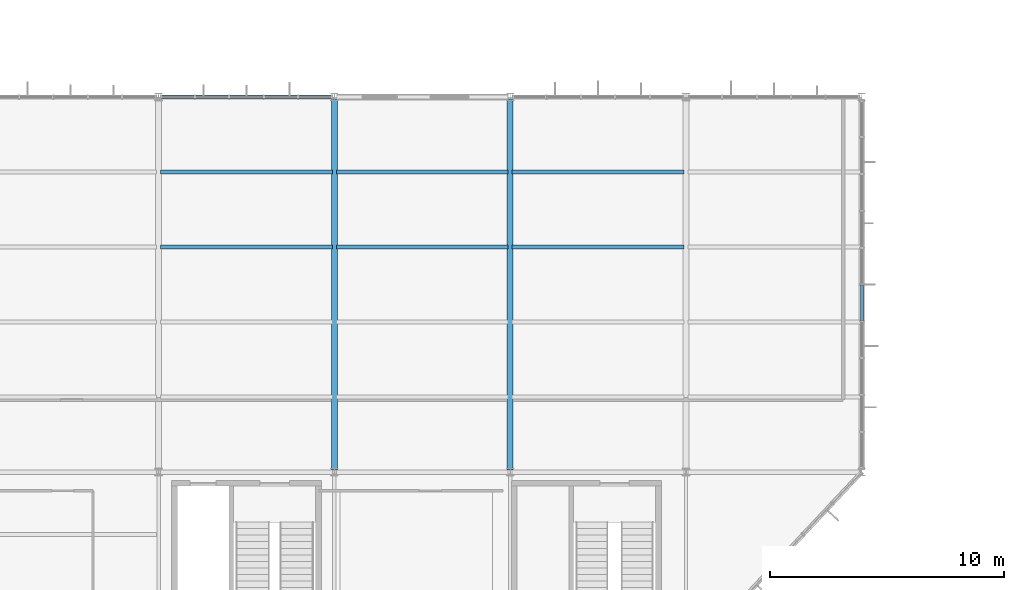
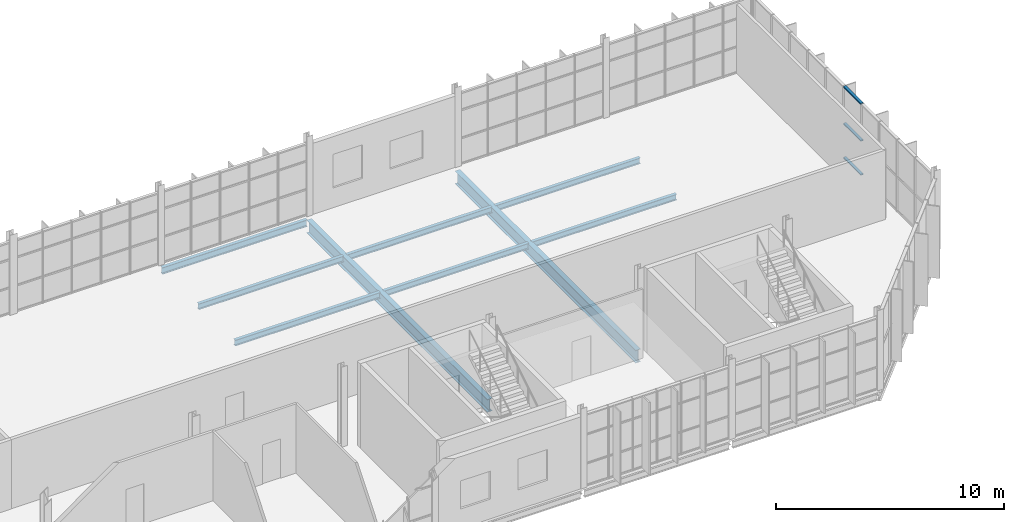
# One storey, part 61 of 324: 9 beams, 3 members, 1 element without a shape of its own.
"""IFC4 building model written with IfcOpenShell, lengths in metres."""

from ifc_helpers import new_model, si_unit, direction, frame, origin, origin_2d, place, context, subcontext, project, spatial, hollow_rectangle, i_section, extrude, material, layer, layer_set, material_profile, profile_set, type_object, element, aggregate, save


model = new_model("IFC4")

# Units and contexts
model_context = context("Model", 3, precision=1e-05, world=origin(), true_north=direction((0.0, 1.0)))
body_context = subcontext(model_context, "Body", "Model", "MODEL_VIEW")
ifc_project = project(units=[si_unit("LENGTHUNIT", "METRE"), si_unit("AREAUNIT", "SQUARE_METRE"), si_unit("VOLUMEUNIT", "CUBIC_METRE"), si_unit("PLANEANGLEUNIT", "RADIAN"), si_unit("MASSUNIT", "GRAM", prefix="KILO")], contexts=[model_context])

# Site, building, storey
site_placement = place(None, origin())
site = spatial("IfcSite", under=ifc_project, at=site_placement, CompositionType="ELEMENT")
building_placement = place(site_placement, origin())
building = spatial("IfcBuilding", under=site, at=building_placement, Name="Solvenia Promenade Tram Depot", CompositionType="ELEMENT")
storey_placement = place(building_placement, frame((0.0, 0.0, 4.5)))
storey = spatial("IfcBuildingStorey", under=building, at=storey_placement, Name="L01", CompositionType="ELEMENT", Elevation=4.5)

# Curtain wall, members
ifc_material_1 = material(Name="Anodized aluminium AW-6063 T6", Category="aluminium")
ifc_layer = layer(ifc_material_1, 0.14990234375, Name="Anodized aluminium AW-6063 T6", Category="aluminium")
ifc_layer_set = layer_set([ifc_layer], Name="Anodized aluminium AW-6063 T6")
curtain_wall_type = type_object("IfcCurtainWallType", Name="CW-Court-1500", PredefinedType="NOTDEFINED", material=ifc_layer_set)
curtain_wall_placement = place(storey_placement, origin())
curtain_wall = element("IfcCurtainWall", 1, at=curtain_wall_placement, inside=storey, type_object=curtain_wall_type, Name="Curtain Wall CW-V4E-L01", PredefinedType="NOTDEFINED")
ifc_material_profile_1 = material_profile(ifc_material_1, hollow_rectangle(XDim=0.139892578125, YDim=0.06494140625, WallThickness=0.00390625, at=origin_2d()), Name="ALU-T2", Category="aluminium")
ifc_profile_set_1 = profile_set([ifc_material_profile_1], Name="Anodized aluminium AW-6063 T6")
member_type = type_object("IfcMemberType", Name="CWT-Transom-2", PredefinedType="USERDEFINED", material=ifc_profile_set_1)
member_1_placement = place(storey_placement, frame((90.0, 14.455078125, 0.032470703125), z_axis=(0.0, 1.0, 0.0), x_axis=(-1.0, 0.0, 0.0)))
member_1 = element("IfcMember", 2, at=member_1_placement, type_object=member_type, Name="CW-5 transom 5.1", ObjectType="TRANSOM", PredefinedType="USERDEFINED", context=body_context, shape_type="SweptSolid", body=[
    extrude(hollow_rectangle(XDim=0.139892578125, YDim=0.06494140625, WallThickness=0.00390625, at=origin_2d()), origin(), (0.0, 0.0, 1.0), 1.52001953125),
])
member_2_placement = place(storey_placement, frame((90.0, 14.455078125, 1.85009765625), z_axis=(0.0, 1.0, 0.0), x_axis=(-1.0, 0.0, 0.0)))
member_2 = element("IfcMember", 3, at=member_2_placement, type_object=member_type, Name="CW-5 transom 5.2", ObjectType="TRANSOM", PredefinedType="USERDEFINED", context=body_context, shape_type="SweptSolid", body=[
    extrude(hollow_rectangle(XDim=0.139892578125, YDim=0.06494140625, WallThickness=0.00390625, at=origin_2d()), origin(), (0.0, 0.0, 1.0), 1.52001953125),
])
member_3_placement = place(storey_placement, frame((90.0, 14.455078125, 3.8173828125), z_axis=(0.0, 1.0, 0.0), x_axis=(-1.0, 0.0, 0.0)))
member_3 = element("IfcMember", 4, at=member_3_placement, type_object=member_type, Name="CW-5 transom 5.3", ObjectType="TRANSOM", PredefinedType="USERDEFINED", context=body_context, shape_type="SweptSolid", body=[
    extrude(hollow_rectangle(XDim=0.139892578125, YDim=0.06494140625, WallThickness=0.00390625, at=origin_2d()), origin(), (0.0, 0.0, 1.0), 1.52001953125),
])
aggregate(curtain_wall, [member_1, member_2, member_3])

# Beams
ifc_material_2 = material(Name="Structural steel ASTM A992 Gr. 50", Category="steel")
ifc_material_profile_2 = material_profile(ifc_material_2, i_section(OverallWidth=0.25390625, OverallDepth=0.68408203125, WebThickness=0.012451171875, FlangeThickness=0.018798828125, FilletRadius=0.01611328125, at=origin_2d()), Name="W690x140", Category="steel")
ifc_profile_set_2 = profile_set([ifc_material_profile_2], Name="Structural steel ASTM A992 Gr. 50")
beam_type_1 = type_object("IfcBeamType", Name="Gird-W690x140", PredefinedType="BEAM", material=ifc_profile_set_2)
for number, where, z_axis, x_axis, name in (
    (5, (67.5, 8.0849609375, -0.56201171875), (0.0, 1.0, 0.0), (-1.0, 0.0, 0.0), "Transverse Girder BM-L01-0348"),
    (6, (75.0, 8.0849609375, -0.56201171875), (0.0, 1.0, 0.0), (-1.0, 0.0, 0.0), "Transverse Girder BM-L01-0350"),
):
    element("IfcBeam", number, at=place(storey_placement, frame(where, z_axis=z_axis, x_axis=x_axis)), inside=storey, type_object=beam_type_1, Name=name, PredefinedType="BEAM", context=body_context, shape_type="SweptSolid", body=[
        extrude(i_section(OverallWidth=0.25390625, OverallDepth=0.68408203125, WebThickness=0.012451171875, FlangeThickness=0.018798828125, FilletRadius=0.01611328125, at=origin_2d()), origin(), (0.0, 0.0, 1.0), 15.830078125),
    ])
ifc_material_profile_3 = material_profile(ifc_material_2, i_section(OverallWidth=0.166015625, OverallDepth=0.31298828125, WebThickness=0.006591796875, FlangeThickness=0.01123046875, FilletRadius=0.010009765625, at=origin_2d()), Name="W310x45", Category="steel")
ifc_profile_set_3 = profile_set([ifc_material_profile_3], Name="Structural steel ASTM A992 Gr. 50")
beam_type_2 = type_object("IfcBeamType", Name="Joist-W310x45", PredefinedType="JOIST", material=ifc_profile_set_3)
for number, where, z_axis, x_axis, name in (
    (7, (60.0849609375, 17.60009765625, -0.37646484375), (1.0, 0.0, 0.0), (0.0, 1.0, 0.0), "Secondary Floor Joist BM-L01-0400"),
    (8, (60.0849609375, 20.800048828125, -0.37646484375), (1.0, 0.0, 0.0), (0.0, 1.0, 0.0), "Secondary Floor Joist BM-L01-0401"),
    (9, (67.5849609375, 17.60009765625, -0.37646484375), (1.0, 0.0, 0.0), (0.0, 1.0, 0.0), "Secondary Floor Joist BM-L01-0404"),
    (10, (67.5849609375, 20.800048828125, -0.37646484375), (1.0, 0.0, 0.0), (0.0, 1.0, 0.0), "Secondary Floor Joist BM-L01-0405"),
    (11, (75.0849609375, 17.60009765625, -0.37646484375), (1.0, 0.0, 0.0), (0.0, 1.0, 0.0), "Secondary Floor Joist BM-L01-0408"),
    (12, (75.0849609375, 20.800048828125, -0.37646484375), (1.0, 0.0, 0.0), (0.0, 1.0, 0.0), "Secondary Floor Joist BM-L01-0409"),
):
    element("IfcBeam", number, at=place(storey_placement, frame(where, z_axis=z_axis, x_axis=x_axis)), inside=storey, type_object=beam_type_2, Name=name, PredefinedType="JOIST", context=body_context, shape_type="SweptSolid", body=[
        extrude(i_section(OverallWidth=0.166015625, OverallDepth=0.31298828125, WebThickness=0.006591796875, FlangeThickness=0.01123046875, FilletRadius=0.010009765625, at=origin_2d()), origin(), (0.0, 0.0, 1.0), 7.330078125),
    ])
ifc_material_profile_4 = material_profile(ifc_material_2, i_section(OverallWidth=0.172119140625, OverallDepth=0.35791015625, WebThickness=0.0078125, FlangeThickness=0.01318359375, FilletRadius=0.010986328125, at=origin_2d()), Name="W360x57", Category="steel")
ifc_profile_set_4 = profile_set([ifc_material_profile_4], Name="Structural steel ASTM A992 Gr. 50")
beam_type_3 = type_object("IfcBeamType", Name="Spandrel-W360x57", PredefinedType="SPANDREL", material=ifc_profile_set_4)
beam_placement = place(storey_placement, frame((60.0849609375, 24.0, -0.39892578125), z_axis=(1.0, 0.0, 0.0), x_axis=(0.0, 1.0, 0.0)))
element("IfcBeam", 13, at=beam_placement, inside=storey, type_object=beam_type_3, Name="Perimeter Spandrel BM-L01-0326", PredefinedType="SPANDREL", context=body_context, shape_type="SweptSolid", body=[
    extrude(i_section(OverallWidth=0.172119140625, OverallDepth=0.35791015625, WebThickness=0.0078125, FlangeThickness=0.01318359375, FilletRadius=0.010986328125, at=origin_2d()), origin(), (0.0, 0.0, 1.0), 7.330078125),
])

save(model, "model.ifc")
